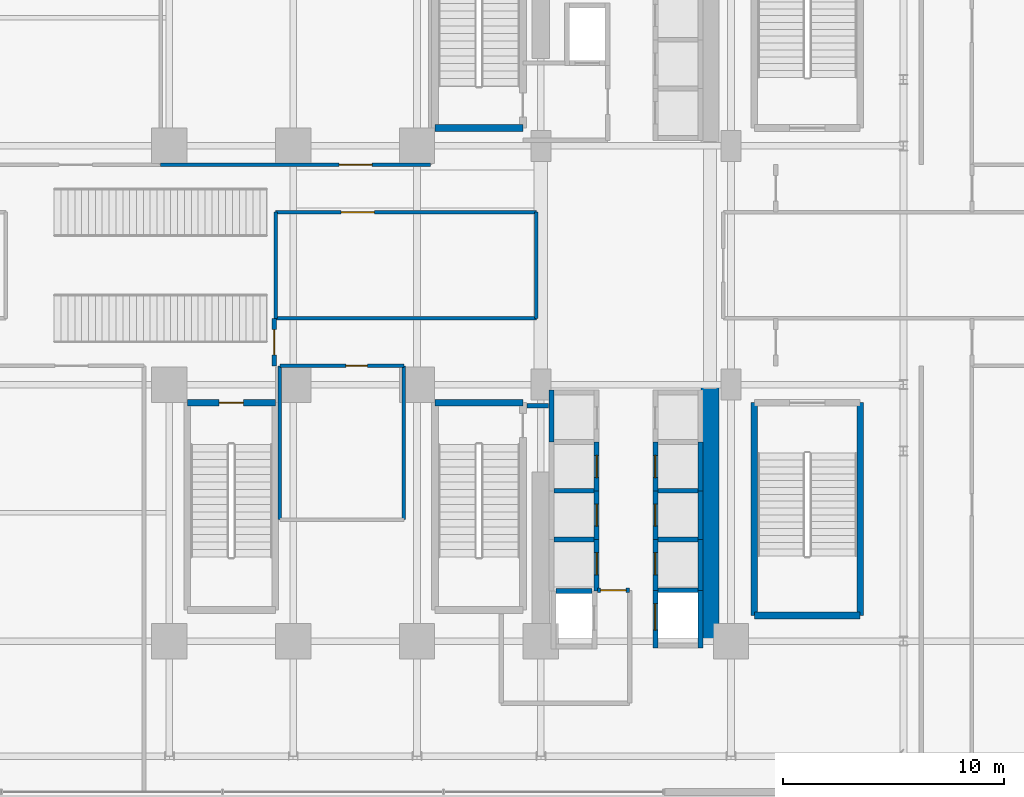
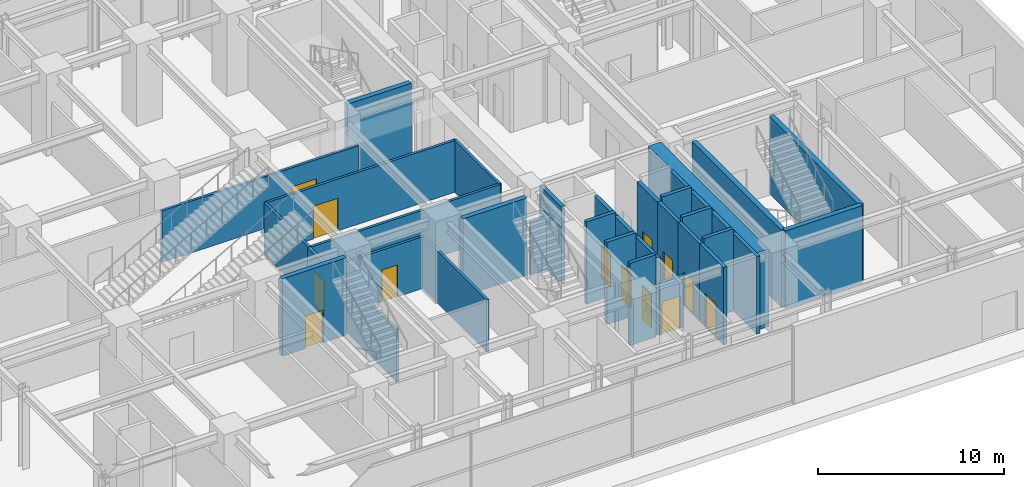
# One storey, part 23 of 29: 36 walls, 13 doors, 13 openings.
"""IFC4 building model written with IfcOpenShell, lengths in metres."""

import ifcopenshell
import ifcopenshell.guid

model = None  # the IFC model being written
_history = None  # IfcOwnerHistory: only IFC2X3 demands one
_inside = {}  # id of a spatial element -> (the spatial element, [elements in it])
_under = {}  # id of a project, library or spatial element -> (it, [spatial elements below it])
_declared = {}  # id of a project -> (the project, [libraries it declares])
_typed = {}  # id of a type object -> (the type object, [elements of that type])
_made_of = {}  # id of a material, layer set ... -> (it, [elements and type objects made of it])


def new_model(schema):
    """Start an empty IFC model of exactly this schema.

    Asked for "IFC4X3", IfcOpenShell would pick the latest addendum, in which some entities
    have other attributes; the version numbers below select the first issue.
    IFC2X3 requires an IfcOwnerHistory on every rooted entity: one is made here for all.
    """
    global model, _history
    if schema == "IFC4X3":
        model = ifcopenshell.file(schema_version=(4, 3, 0, 0))
    else:
        model = ifcopenshell.file(schema=schema)
    _inside.clear()
    _under.clear()
    _declared.clear()
    _typed.clear()
    _made_of.clear()
    _history = None
    if model.schema == "IFC2X3":
        org = make("IfcOrganization", Name="unknown")
        user = make(
            "IfcPersonAndOrganization",
            ThePerson=make("IfcPerson", FamilyName="unknown"),
            TheOrganization=org,
        )
        app = make(
            "IfcApplication",
            ApplicationDeveloper=org,
            Version="unknown",
            ApplicationFullName="unknown",
            ApplicationIdentifier="unknown",
        )
        _history = make(
            "IfcOwnerHistory",
            OwningUser=user,
            OwningApplication=app,
            ChangeAction="ADDED",
            CreationDate=0,
        )
    return model


def make(cls, **values):
    """One entity of the class cls with the attributes given. An attribute that is None is left unset."""
    return model.create_entity(
        cls, **{name: value for name, value in values.items() if value is not None}
    )


def rooted(cls, **values):
    """An entity with a GlobalId (a new one), such as an element, a storey or a relation."""
    return make(cls, GlobalId=ifcopenshell.guid.new(), OwnerHistory=_history, **values)


def si_unit(unit_type, name, prefix=None):
    """IfcSIUnit, for example si_unit("LENGTHUNIT", "METRE", prefix="MILLI")."""
    return make("IfcSIUnit", UnitType=unit_type, Prefix=prefix, Name=name)


def assignment(units):
    """IfcUnitAssignment: the units of a project."""
    return None if units is None else make("IfcUnitAssignment", Units=units)


def point(xyz):
    """IfcCartesianPoint."""
    return None if xyz is None else make("IfcCartesianPoint", Coordinates=xyz)


def direction(xyz):
    """IfcDirection."""
    return None if xyz is None else make("IfcDirection", DirectionRatios=xyz)


def frame(location, z_axis=None, x_axis=None):
    """IfcAxis2Placement3D, a coordinate frame: its origin and axes. An axis left out is left unset."""
    return make(
        "IfcAxis2Placement3D",
        Location=point(location),
        Axis=direction(z_axis),
        RefDirection=direction(x_axis),
    )


def frame_2d(location, x_axis=None):
    """IfcAxis2Placement2D, a coordinate frame in the plane: its origin and x axis."""
    return make(
        "IfcAxis2Placement2D", Location=point(location), RefDirection=direction(x_axis)
    )


def origin():
    """The frame at (0, 0, 0) with its axes left unset."""
    return frame((0.0, 0.0, 0.0))


def place(relative_to, where):
    """IfcLocalPlacement: puts the frame where relative to a parent placement (None: the world)."""
    return make(
        "IfcLocalPlacement", PlacementRelTo=relative_to, RelativePlacement=where
    )


def context(
    kind, dimensions, precision=None, world=None, true_north=None, identifier=None
):
    """IfcGeometricRepresentationContext, for example the 3D "Model" context."""
    return make(
        "IfcGeometricRepresentationContext",
        ContextIdentifier=identifier,
        ContextType=kind,
        CoordinateSpaceDimension=dimensions,
        Precision=precision,
        WorldCoordinateSystem=world,
        TrueNorth=true_north,
    )


def subcontext(parent, identifier, kind, view, scale=None):
    """IfcGeometricRepresentationSubContext, for example "Body" below "Model"."""
    return make(
        "IfcGeometricRepresentationSubContext",
        ContextIdentifier=identifier,
        ContextType=kind,
        ParentContext=parent,
        TargetScale=scale,
        TargetView=view,
    )


def project(units=None, contexts=None):
    """IfcProject with its units and contexts."""
    return rooted(
        "IfcProject",
        Name="project",
        RepresentationContexts=contexts,
        UnitsInContext=assignment(units),
    )


def spatial(cls, under=None, at=None, **own):
    """A site, building, storey or space (cls), placed at a placement, below another one or the project."""
    s = rooted(cls, ObjectPlacement=at, **own)
    if under is not None:
        _under.setdefault(under.id(), (under, []))[1].append(s)
    return s


def profile(cls, at=None, kind="AREA", **sizes):
    """A parametric profile (cls). Its sizes go by their IFC names, for example OverallWidth=200.0."""
    return make(cls, ProfileType=kind, Position=at, **sizes)


def rectangle(**sizes):
    """IfcRectangleProfileDef."""
    return profile("IfcRectangleProfileDef", **sizes)


def extrude(swept, where, along, depth):
    """IfcExtrudedAreaSolid: the profile swept, set in the frame where, extruded along a direction by depth."""
    return make(
        "IfcExtrudedAreaSolid",
        SweptArea=swept,
        Position=where,
        ExtrudedDirection=direction(along),
        Depth=depth,
    )


def shape(context_of_items, identifier, shape_type, items):
    """IfcShapeRepresentation: the items that make up one representation, for example the "Body"."""
    return make(
        "IfcShapeRepresentation",
        ContextOfItems=context_of_items,
        RepresentationIdentifier=identifier,
        RepresentationType=shape_type,
        Items=items,
    )


def source(mapping_origin, context_of_items, identifier, shape_type, items):
    """IfcRepresentationMap: a shape defined once, which mapped items show again and again."""
    return make(
        "IfcRepresentationMap",
        MappingOrigin=mapping_origin,
        MappedRepresentation=shape(context_of_items, identifier, shape_type, items),
    )


def transform(
    local_origin,
    x_axis=None,
    y_axis=None,
    z_axis=None,
    scale=None,
    scale2=None,
    scale3=None,
    uniform=True,
):
    """IfcCartesianTransformationOperator3D, or its non-uniform kind. x_axis, y_axis, z_axis: its Axis1, 2, 3."""
    if uniform:
        return make(
            "IfcCartesianTransformationOperator3D",
            Axis1=direction(x_axis),
            Axis2=direction(y_axis),
            LocalOrigin=point(local_origin),
            Scale=scale,
            Axis3=direction(z_axis),
        )
    return make(
        "IfcCartesianTransformationOperator3DnonUniform",
        Axis1=direction(x_axis),
        Axis2=direction(y_axis),
        LocalOrigin=point(local_origin),
        Scale=scale,
        Axis3=direction(z_axis),
        Scale2=scale2,
        Scale3=scale3,
    )


def mapped(mapping_source, mapping_target):
    """IfcMappedItem: shows the shape of a source again, moved by a transform."""
    return make(
        "IfcMappedItem", MappingSource=mapping_source, MappingTarget=mapping_target
    )


def material(Name=None, Category=None):
    """IfcMaterial."""
    return make("IfcMaterial", Name=Name, Category=Category)


def layer(
    of_material, thickness, ventilated=None, Name=None, Category=None, Priority=None
):
    """IfcMaterialLayer: one layer of a wall or slab, of a material (None: an air gap)."""
    return make(
        "IfcMaterialLayer",
        Material=of_material,
        LayerThickness=thickness,
        IsVentilated=ventilated,
        Name=Name,
        Category=Category,
        Priority=Priority,
    )


def layer_set(layers, Name=None):
    """IfcMaterialLayerSet."""
    return make("IfcMaterialLayerSet", MaterialLayers=layers, LayerSetName=Name)


def made_of(thing, what):
    """Note that an element or type object is made of a material, layer set ...; save() writes the relation."""
    if what is not None:
        _made_of.setdefault(what.id(), (what, []))[1].append(thing)
    return thing


def type_object(cls, material=None, **own):
    """A type object (cls), such as IfcWallType, which elements share."""
    return made_of(rooted(cls, **own), material)


def element(
    cls,
    number,
    at=None,
    inside=None,
    cuts=None,
    type_object=None,
    material=None,
    context=None,
    identifier="Body",
    shape_type=None,
    held_by="IfcProductDefinitionShape",
    body=None,
    shapes=None,
    **own,
):
    """One element of the class cls, such as IfcWall. Its Tag is "e" and its number.

    at: its placement. inside: the storey or other place that contains it. cuts: it is an
    opening in that element (IfcRelVoidsElement). A single representation is given by context,
    identifier, shape_type and body (its items); several are given by shapes. held_by: the class
    of the entity that holds the representations. save() writes the other relations.
    """
    e = rooted(cls, Tag="e%d" % number, ObjectPlacement=at, **own)
    if body is not None:
        shapes = [shape(context, identifier, shape_type, body)]
    if shapes is not None:
        e.Representation = make(held_by, Representations=shapes)
    if inside is not None:
        _inside.setdefault(inside.id(), (inside, []))[1].append(e)
    if cuts is not None:
        rooted(
            "IfcRelVoidsElement", RelatingBuildingElement=cuts, RelatedOpeningElement=e
        )
    if type_object is not None:
        _typed.setdefault(type_object.id(), (type_object, []))[1].append(e)
    return made_of(e, material)


def fill(opening, filler):
    """IfcRelFillsElement: the door or window that sits in an opening."""
    return rooted(
        "IfcRelFillsElement",
        RelatingOpeningElement=opening,
        RelatedBuildingElement=filler,
    )


def aggregate(whole, parts):
    """IfcRelAggregates: a whole, such as a stair, and the parts it consists of."""
    return rooted("IfcRelAggregates", RelatingObject=whole, RelatedObjects=parts)


def save(model, path):
    """Write the relations noted so far, then the file.

    IfcRelAggregates (storeys below a building ...), IfcRelContainedInSpatialStructure (elements
    in a storey), IfcRelDefinesByType, IfcRelAssociatesMaterial and IfcRelDeclares: one each for
    every whole, place, type object, material and project.
    """
    for whole, parts in _under.values():
        aggregate(whole, parts)
    for where, things in _inside.values():
        rooted(
            "IfcRelContainedInSpatialStructure",
            RelatedElements=things,
            RelatingStructure=where,
        )
    for kind, things in _typed.values():
        rooted("IfcRelDefinesByType", RelatedObjects=things, RelatingType=kind)
    for what, things in _made_of.values():
        rooted("IfcRelAssociatesMaterial", RelatedObjects=things, RelatingMaterial=what)
    for by, libraries in _declared.values():
        rooted("IfcRelDeclares", RelatingContext=by, RelatedDefinitions=libraries)
    model.write(path)


model = new_model("IFC4")

# Units and contexts
model_context = context("Model", 3, precision=1e-05, world=origin(), true_north=direction((0.0, 1.0)))
body_context = subcontext(model_context, "Body", "Model", "MODEL_VIEW")
ifc_project = project(units=[si_unit("LENGTHUNIT", "METRE"), si_unit("AREAUNIT", "SQUARE_METRE"), si_unit("VOLUMEUNIT", "CUBIC_METRE"), si_unit("PLANEANGLEUNIT", "RADIAN"), si_unit("MASSUNIT", "GRAM", prefix="KILO")], contexts=[model_context])

# Site, building, storey
site_placement = place(None, origin())
site = spatial("IfcSite", under=ifc_project, at=site_placement, CompositionType="ELEMENT")
building_placement = place(site_placement, origin())
building = spatial("IfcBuilding", under=site, at=building_placement, Name="Nahalor Promenade Grand Hotel", CompositionType="ELEMENT")
storey_placement = place(building_placement, origin())
storey = spatial("IfcBuildingStorey", under=building, at=storey_placement, Name="L00", CompositionType="ELEMENT", Elevation=0.0)

# Walls
ifc_material_1 = material(Name="Concrete B-70 (C60/75)", Category="concrete")
ifc_layer_1 = layer(ifc_material_1, 0.800048828125)
ifc_layer_set_1 = layer_set([ifc_layer_1], Name="Concrete B-70 (C60/75)")
wall_type_1 = type_object("IfcWallType", Name="Wall-CoreShear-800", PredefinedType="SHEAR", material=ifc_layer_set_1)
shared_shape_1 = source(origin(), body_context, "Body", "SweptSolid", [
    extrude(rectangle(XDim=11.60009765625, YDim=0.800048828125, at=frame_2d((5.800048828125, 0.0))), origin(), (0.0, 0.0, 1.0), 5.080078125),
])
wall_1_placement = place(storey_placement, frame((16.050048828125, -17.0, 0.0), z_axis=(0.0, 0.0, 1.0), x_axis=(0.0, 1.0, 0.0)))
element("IfcWall", 1, at=wall_1_placement, inside=storey, type_object=wall_type_1, Name="CWALL-L00-SE", PredefinedType="SHEAR", context=body_context, shape_type="MappedRepresentation", body=[
    mapped(shared_shape_1, transform((0.0, 0.0, 0.0), scale=1.0)),
])
ifc_material_2 = material(Name="Concrete B-50 (C40/50)", Category="concrete")
ifc_layer_2 = layer(ifc_material_2, 0.300048828125)
ifc_layer_set_2 = layer_set([ifc_layer_2], Name="Concrete B-50 (C40/50)")
wall_type_2 = type_object("IfcWallType", Name="Wall-ShaftShear-300", PredefinedType="SHEAR", material=ifc_layer_set_2)
shared_shape_2 = source(origin(), body_context, "Body", "SweptSolid", [
    extrude(rectangle(XDim=3.97998046875, YDim=0.300048828125, at=frame_2d((1.989990234375, 0.0))), origin(), (0.0, 0.0, 1.0), 5.080078125),
])
for number, where, z_axis, x_axis, name in (
    (2, (3.610107421875, 6.2099609375, 0.0), (0.0, 0.0, 1.0), (1.0, 0.0, 0.0), "L00 Exit Stair ST1 Shaft Wall S"),
    (3, (3.610107421875, -6.2099609375, 0.0), (0.0, 0.0, 1.0), (1.0, 0.0, 0.0), "L00 Exit Stair ST2 Shaft Wall N"),
):
    element("IfcWall", number, at=place(storey_placement, frame(where, z_axis=z_axis, x_axis=x_axis)), inside=storey, type_object=wall_type_2, Name=name, PredefinedType="SHEAR", context=body_context, shape_type="MappedRepresentation", body=[
        mapped(shared_shape_2, transform((0.0, 0.0, 0.0), scale=1.0)),
    ])

# Wall, opening, door
wall_2_placement = place(storey_placement, frame((-7.590087890625, -6.2099609375, 0.0), z_axis=(0.0, 0.0, 1.0), x_axis=(1.0, 0.0, 0.0)))
wall_2 = element("IfcWall", 4, at=wall_2_placement, inside=storey, type_object=wall_type_2, Name="L00 Exit Stair ST3 Shaft Wall N", PredefinedType="SHEAR", context=body_context, shape_type="MappedRepresentation", body=[
    mapped(shared_shape_2, transform((0.0, 0.0, 0.0), scale=1.0)),
])
opening_1_placement = place(wall_2_placement, frame((1.43994140625, 0.0, 0.0)))
opening_1 = element("IfcOpeningElement", 5, at=opening_1_placement, cuts=wall_2, Name="Opening D-ST1", PredefinedType="OPENING", context=body_context, shape_type="SweptSolid", body=[
    extrude(rectangle(XDim=1.10009765625, YDim=2.14990234375, at=frame_2d((0.550048828125, 1.074951171875))), frame((0.0, 0.159912109375, 0.0), z_axis=(0.0, -1.0, 0.0), x_axis=(1.0, 0.0, 0.0)), (0.0, 0.0, 1.0), 0.320068359375),
])
ifc_material_3 = material(Name="Steel S355JR", Category="steel")
door_type_1 = type_object("IfcDoorType", Name="Door-StairFire-1100", OperationType="NOTDEFINED", PredefinedType="DOOR", material=ifc_material_3)
shared_shape_3 = source(origin(), body_context, "Body", "SweptSolid", [
    extrude(rectangle(XDim=1.10009765625, YDim=2.14990234375, at=frame_2d((0.550048828125, 1.074951171875))), frame((0.0, 0.02490234375, 0.0), z_axis=(0.0, -1.0, 0.0), x_axis=(1.0, 0.0, 0.0)), (0.0, 0.0, 1.0), 0.050048828125),
])
door_1_placement = place(opening_1_placement, origin())
door_1 = element("IfcDoor", 6, at=door_1_placement, inside=storey, type_object=door_type_1, Name="DR-STAIR-ST3-L00", OperationType="SINGLE_SWING_LEFT", OverallHeight=2.14990234375, OverallWidth=1.10009765625, PredefinedType="DOOR", context=body_context, shape_type="MappedRepresentation", body=[
    mapped(shared_shape_3, transform((0.0, 0.0, 0.0), scale=1.0)),
])
fill(opening_1, door_1)

# Walls
shared_shape_4 = source(origin(), body_context, "Body", "SweptSolid", [
    extrude(rectangle(XDim=4.780029296875, YDim=0.300048828125, at=frame_2d((2.39013671875, 0.0))), origin(), (0.0, 0.0, 1.0), 5.080078125),
])
wall_3_placement = place(storey_placement, frame((18.06005859375, -15.840087890625, 0.0), z_axis=(0.0, 0.0, 1.0), x_axis=(1.0, 0.0, 0.0)))
element("IfcWall", 7, at=wall_3_placement, inside=storey, type_object=wall_type_2, Name="L00 Exit Stair ST5 Shaft Wall S", PredefinedType="SHEAR", context=body_context, shape_type="MappedRepresentation", body=[
    mapped(shared_shape_4, transform((0.0, 0.0, 0.0), scale=1.0)),
])
shared_shape_5 = source(origin(), body_context, "Body", "SweptSolid", [
    extrude(rectangle(XDim=9.630126953125, YDim=0.300048828125, at=frame_2d((4.81494140625, 0.0))), origin(), (0.0, 0.0, 1.0), 5.080078125),
])
for number, where, z_axis, x_axis, name in (
    (8, (18.06005859375, -15.840087890625, 0.0), (0.0, 0.0, 1.0), (0.0, 1.0, 0.0), "L00 Exit Stair ST5 Shaft Wall W"),
    (9, (22.840087890625, -15.840087890625, 0.0), (0.0, 0.0, 1.0), (0.0, 1.0, 0.0), "L00 Exit Stair ST5 Shaft Wall E"),
):
    element("IfcWall", number, at=place(storey_placement, frame(where, z_axis=z_axis, x_axis=x_axis)), inside=storey, type_object=wall_type_2, Name=name, PredefinedType="SHEAR", context=body_context, shape_type="MappedRepresentation", body=[
        mapped(shared_shape_5, transform((0.0, 0.0, 0.0), scale=1.0)),
    ])
ifc_layer_3 = layer(ifc_material_2, 0.219970703125)
ifc_layer_set_3 = layer_set([ifc_layer_3], Name="Concrete B-50 (C40/50)")
wall_type_3 = type_object("IfcWallType", Name="Wall-LiftShaft-220", PredefinedType="SHEAR", material=ifc_layer_set_3)
shared_shape_6 = source(origin(), body_context, "Body", "SweptSolid", [
    extrude(rectangle(XDim=2.360107421875, YDim=0.219970703125, at=frame_2d((1.18017578125, 0.0))), origin(), (0.0, 0.0, 1.0), 5.080078125),
])
wall_4_placement = place(storey_placement, frame((8.8798828125, -8.0, 0.0), z_axis=(0.0, 0.0, 1.0), x_axis=(0.0, 1.0, 0.0)))
element("IfcWall", 10, at=wall_4_placement, inside=storey, type_object=wall_type_3, Name="L00 Lift PL9 Hoistway Wall W", PredefinedType="SHEAR", context=body_context, shape_type="MappedRepresentation", body=[
    mapped(shared_shape_6, transform((0.0, 0.0, 0.0), scale=1.0)),
])
shared_shape_7 = source(origin(), body_context, "Body", "SweptSolid", [
    extrude(rectangle(XDim=1.820068359375, YDim=0.219970703125, at=frame_2d((0.91015625, 0.0))), origin(), (0.0, 0.0, 1.0), 5.39990234375),
])
for number, where, z_axis, x_axis, name in (
    (11, (13.68994140625, -10.199951171875, 0.0), (0.0, 0.0, 1.0), (1.0, 0.0, 0.0), "L00 Lift PL7 Hoistway Wall N"),
    (12, (13.68994140625, -12.39990234375, 0.0), (0.0, 0.0, 1.0), (1.0, 0.0, 0.0), "L00 Lift PL8 Hoistway Wall N"),
    (13, (8.989990234375, -10.199951171875, 0.0), (0.0, 0.0, 1.0), (1.0, 0.0, 0.0), "L00 Lift PL11 Hoistway Wall N"),
    (14, (8.989990234375, -12.39990234375, 0.0), (0.0, 0.0, 1.0), (1.0, 0.0, 0.0), "L00 Lift PL12 Hoistway Wall N"),
    (15, (13.68994140625, -14.699951171875, 0.0), (0.0, 0.0, 1.0), (1.0, 0.0, 0.0), "L00 Lift SV2 Hoistway Wall N"),
):
    element("IfcWall", number, at=place(storey_placement, frame(where, z_axis=z_axis, x_axis=x_axis)), inside=storey, type_object=wall_type_3, Name=name, PredefinedType="SHEAR", context=body_context, shape_type="MappedRepresentation", body=[
        mapped(shared_shape_7, transform((0.0, 0.0, 0.0), scale=1.0)),
    ])

# Wall, opening, door
shared_shape_8 = source(origin(), body_context, "Body", "SweptSolid", [
    extrude(rectangle(XDim=2.199951171875, YDim=0.219970703125, at=frame_2d((1.10009765625, 0.0))), origin(), (0.0, 0.0, 1.0), 5.080078125),
])
wall_5_placement = place(storey_placement, frame((13.580078125, -10.199951171875, 0.0), z_axis=(0.0, 0.0, 1.0), x_axis=(0.0, 1.0, 0.0)))
wall_5 = element("IfcWall", 16, at=wall_5_placement, inside=storey, type_object=wall_type_3, Name="L00 Lift PL6 Hoistway Wall W", PredefinedType="SHEAR", context=body_context, shape_type="MappedRepresentation", body=[
    mapped(shared_shape_8, transform((0.0, 0.0, 0.0), scale=1.0)),
])
opening_2_placement = place(wall_5_placement, frame((0.60009765625, 0.0, 0.0)))
opening_2 = element("IfcOpeningElement", 17, at=opening_2_placement, cuts=wall_5, Name="Opening LD-01", PredefinedType="OPENING", context=body_context, shape_type="SweptSolid", body=[
    extrude(rectangle(XDim=1.0, YDim=2.199951171875, at=frame_2d((0.5, 1.10009765625))), frame((0.0, 0.119873046875, 0.0), z_axis=(0.0, -1.0, 0.0), x_axis=(1.0, 0.0, 0.0)), (0.0, 0.0, 1.0), 0.239990234375),
])
door_type_2 = type_object("IfcDoorType", Name="Door-LiftLanding-1000", OperationType="DOUBLE_DOOR_SLIDING", PredefinedType="DOOR", material=ifc_material_3)
shared_shape_9 = source(origin(), body_context, "Body", "SweptSolid", [
    extrude(rectangle(XDim=1.0, YDim=2.199951171875, at=frame_2d((0.5, 1.10009765625))), frame((0.0, 0.02490234375, 0.0), z_axis=(0.0, -1.0, 0.0), x_axis=(1.0, 0.0, 0.0)), (0.0, 0.0, 1.0), 0.050048828125),
])
door_2_placement = place(opening_2_placement, origin())
door_2 = element("IfcDoor", 18, at=door_2_placement, inside=storey, type_object=door_type_2, Name="DR-LIFT-PL6-L00", OperationType="DOUBLE_DOOR_SLIDING", OverallHeight=2.199951171875, OverallWidth=1.0, PredefinedType="DOOR", context=body_context, shape_type="MappedRepresentation", body=[
    mapped(shared_shape_9, transform((0.0, 0.0, 0.0), scale=1.0)),
])
fill(opening_2, door_2)

# Wall
wall_6_placement = place(storey_placement, frame((15.6201171875, -10.199951171875, 0.0), z_axis=(0.0, 0.0, 1.0), x_axis=(0.0, 1.0, 0.0)))
element("IfcWall", 19, at=wall_6_placement, inside=storey, type_object=wall_type_3, Name="L00 Lift PL6 Hoistway Wall E", PredefinedType="SHEAR", context=body_context, shape_type="MappedRepresentation", body=[
    mapped(shared_shape_8, transform((0.0, 0.0, 0.0), scale=1.0)),
])

# Wall, opening, door
wall_7_placement = place(storey_placement, frame((13.580078125, -12.39990234375, 0.0), z_axis=(0.0, 0.0, 1.0), x_axis=(0.0, 1.0, 0.0)))
wall_7 = element("IfcWall", 20, at=wall_7_placement, inside=storey, type_object=wall_type_3, Name="L00 Lift PL7 Hoistway Wall W", PredefinedType="SHEAR", context=body_context, shape_type="MappedRepresentation", body=[
    mapped(shared_shape_8, transform((0.0, 0.0, 0.0), scale=1.0)),
])
opening_3_placement = place(wall_7_placement, frame((0.60009765625, 0.0, 0.0)))
opening_3 = element("IfcOpeningElement", 21, at=opening_3_placement, cuts=wall_7, Name="Opening LD-01", PredefinedType="OPENING", context=body_context, shape_type="SweptSolid", body=[
    extrude(rectangle(XDim=1.0, YDim=2.199951171875, at=frame_2d((0.5, 1.10009765625))), frame((0.0, 0.119873046875, 0.0), z_axis=(0.0, -1.0, 0.0), x_axis=(1.0, 0.0, 0.0)), (0.0, 0.0, 1.0), 0.239990234375),
])
door_3_placement = place(opening_3_placement, origin())
door_3 = element("IfcDoor", 22, at=door_3_placement, inside=storey, type_object=door_type_2, Name="DR-LIFT-PL7-L00", OperationType="DOUBLE_DOOR_SLIDING", OverallHeight=2.199951171875, OverallWidth=1.0, PredefinedType="DOOR", context=body_context, shape_type="MappedRepresentation", body=[
    mapped(shared_shape_9, transform((0.0, 0.0, 0.0), scale=1.0)),
])
fill(opening_3, door_3)

# Wall
wall_8_placement = place(storey_placement, frame((15.6201171875, -12.39990234375, 0.0), z_axis=(0.0, 0.0, 1.0), x_axis=(0.0, 1.0, 0.0)))
element("IfcWall", 23, at=wall_8_placement, inside=storey, type_object=wall_type_3, Name="L00 Lift PL7 Hoistway Wall E", PredefinedType="SHEAR", context=body_context, shape_type="MappedRepresentation", body=[
    mapped(shared_shape_8, transform((0.0, 0.0, 0.0), scale=1.0)),
])

# Wall, opening, door
wall_9_placement = place(storey_placement, frame((10.919921875, -10.199951171875, 0.0), z_axis=(0.0, 0.0, 1.0), x_axis=(0.0, 1.0, 0.0)))
wall_9 = element("IfcWall", 24, at=wall_9_placement, inside=storey, type_object=wall_type_3, Name="L00 Lift PL10 Hoistway Wall E", PredefinedType="SHEAR", context=body_context, shape_type="MappedRepresentation", body=[
    mapped(shared_shape_8, transform((0.0, 0.0, 0.0), scale=1.0)),
])
opening_4_placement = place(wall_9_placement, frame((0.60009765625, 0.0, 0.0)))
opening_4 = element("IfcOpeningElement", 25, at=opening_4_placement, cuts=wall_9, Name="Opening LD-01", PredefinedType="OPENING", context=body_context, shape_type="SweptSolid", body=[
    extrude(rectangle(XDim=1.0, YDim=2.199951171875, at=frame_2d((0.5, 1.10009765625))), frame((0.0, 0.119873046875, 0.0), z_axis=(0.0, -1.0, 0.0), x_axis=(1.0, 0.0, 0.0)), (0.0, 0.0, 1.0), 0.239990234375),
])
door_4_placement = place(opening_4_placement, frame((1.0, 0.0, 0.0), z_axis=(0.0, 0.0, 1.0), x_axis=(-1.0, 0.0, 0.0)))
door_4 = element("IfcDoor", 26, at=door_4_placement, inside=storey, type_object=door_type_2, Name="DR-LIFT-PL10-L00", OperationType="DOUBLE_DOOR_SLIDING", OverallHeight=2.199951171875, OverallWidth=1.0, PredefinedType="DOOR", context=body_context, shape_type="MappedRepresentation", body=[
    mapped(shared_shape_9, transform((0.0, 0.0, 0.0), scale=1.0)),
])
fill(opening_4, door_4)

wall_10_placement = place(storey_placement, frame((10.919921875, -12.39990234375, 0.0), z_axis=(0.0, 0.0, 1.0), x_axis=(0.0, 1.0, 0.0)))
wall_10 = element("IfcWall", 27, at=wall_10_placement, inside=storey, type_object=wall_type_3, Name="L00 Lift PL11 Hoistway Wall E", PredefinedType="SHEAR", context=body_context, shape_type="MappedRepresentation", body=[
    mapped(shared_shape_8, transform((0.0, 0.0, 0.0), scale=1.0)),
])
opening_5_placement = place(wall_10_placement, frame((0.60009765625, 0.0, 0.0)))
opening_5 = element("IfcOpeningElement", 28, at=opening_5_placement, cuts=wall_10, Name="Opening LD-01", PredefinedType="OPENING", context=body_context, shape_type="SweptSolid", body=[
    extrude(rectangle(XDim=1.0, YDim=2.199951171875, at=frame_2d((0.5, 1.10009765625))), frame((0.0, 0.119873046875, 0.0), z_axis=(0.0, -1.0, 0.0), x_axis=(1.0, 0.0, 0.0)), (0.0, 0.0, 1.0), 0.239990234375),
])
door_5_placement = place(opening_5_placement, frame((1.0, 0.0, 0.0), z_axis=(0.0, 0.0, 1.0), x_axis=(-1.0, 0.0, 0.0)))
door_5 = element("IfcDoor", 29, at=door_5_placement, inside=storey, type_object=door_type_2, Name="DR-LIFT-PL11-L00", OperationType="DOUBLE_DOOR_SLIDING", OverallHeight=2.199951171875, OverallWidth=1.0, PredefinedType="DOOR", context=body_context, shape_type="MappedRepresentation", body=[
    mapped(shared_shape_9, transform((0.0, 0.0, 0.0), scale=1.0)),
])
fill(opening_5, door_5)

shared_shape_10 = source(origin(), body_context, "Body", "SweptSolid", [
    extrude(rectangle(XDim=2.300048828125, YDim=0.219970703125, at=frame_2d((1.14990234375, 0.0))), origin(), (0.0, 0.0, 1.0), 5.080078125),
])
wall_11_placement = place(storey_placement, frame((13.580078125, -14.699951171875, 0.0), z_axis=(0.0, 0.0, 1.0), x_axis=(0.0, 1.0, 0.0)))
wall_11 = element("IfcWall", 30, at=wall_11_placement, inside=storey, type_object=wall_type_3, Name="L00 Lift PL8 Hoistway Wall W", PredefinedType="SHEAR", context=body_context, shape_type="MappedRepresentation", body=[
    mapped(shared_shape_10, transform((0.0, 0.0, 0.0), scale=1.0)),
])
opening_6_placement = place(wall_11_placement, frame((0.699951171875, 0.0, 0.0)))
opening_6 = element("IfcOpeningElement", 31, at=opening_6_placement, cuts=wall_11, Name="Opening LD-01", PredefinedType="OPENING", context=body_context, shape_type="SweptSolid", body=[
    extrude(rectangle(XDim=1.0, YDim=2.199951171875, at=frame_2d((0.5, 1.10009765625))), frame((0.0, 0.119873046875, 0.0), z_axis=(0.0, -1.0, 0.0), x_axis=(1.0, 0.0, 0.0)), (0.0, 0.0, 1.0), 0.239990234375),
])
door_6_placement = place(opening_6_placement, origin())
door_6 = element("IfcDoor", 32, at=door_6_placement, inside=storey, type_object=door_type_2, Name="DR-LIFT-PL8-L00", OperationType="DOUBLE_DOOR_SLIDING", OverallHeight=2.199951171875, OverallWidth=1.0, PredefinedType="DOOR", context=body_context, shape_type="MappedRepresentation", body=[
    mapped(shared_shape_9, transform((0.0, 0.0, 0.0), scale=1.0)),
])
fill(opening_6, door_6)

# Wall
wall_12_placement = place(storey_placement, frame((15.6201171875, -14.699951171875, 0.0), z_axis=(0.0, 0.0, 1.0), x_axis=(0.0, 1.0, 0.0)))
element("IfcWall", 33, at=wall_12_placement, inside=storey, type_object=wall_type_3, Name="L00 Lift PL8 Hoistway Wall E", PredefinedType="SHEAR", context=body_context, shape_type="MappedRepresentation", body=[
    mapped(shared_shape_10, transform((0.0, 0.0, 0.0), scale=1.0)),
])

# Wall, opening, door
shared_shape_11 = source(origin(), body_context, "Body", "SweptSolid", [
    extrude(rectangle(XDim=2.3251953125, YDim=0.219970703125, at=frame_2d((1.16259765625, 0.0))), origin(), (0.0, 0.0, 1.0), 5.080078125),
])
wall_13_placement = place(storey_placement, frame((10.919921875, -14.72509765625, 0.0), z_axis=(0.0, 0.0, 1.0), x_axis=(0.0, 1.0, 0.0)))
wall_13 = element("IfcWall", 34, at=wall_13_placement, inside=storey, type_object=wall_type_3, Name="L00 Lift PL12 Hoistway Wall E", PredefinedType="SHEAR", context=body_context, shape_type="MappedRepresentation", body=[
    mapped(shared_shape_11, transform((0.0, 0.0, 0.0), scale=1.0)),
])
opening_7_placement = place(wall_13_placement, frame((0.72509765625, 0.0, 0.0)))
opening_7 = element("IfcOpeningElement", 35, at=opening_7_placement, cuts=wall_13, Name="Opening LD-01", PredefinedType="OPENING", context=body_context, shape_type="SweptSolid", body=[
    extrude(rectangle(XDim=1.0, YDim=2.199951171875, at=frame_2d((0.5, 1.10009765625))), frame((0.0, 0.119873046875, 0.0), z_axis=(0.0, -1.0, 0.0), x_axis=(1.0, 0.0, 0.0)), (0.0, 0.0, 1.0), 0.239990234375),
])
door_7_placement = place(opening_7_placement, frame((1.0, 0.0, 0.0), z_axis=(0.0, 0.0, 1.0), x_axis=(-1.0, 0.0, 0.0)))
door_7 = element("IfcDoor", 36, at=door_7_placement, inside=storey, type_object=door_type_2, Name="DR-LIFT-PL12-L00", OperationType="DOUBLE_DOOR_SLIDING", OverallHeight=2.199951171875, OverallWidth=1.0, PredefinedType="DOOR", context=body_context, shape_type="MappedRepresentation", body=[
    mapped(shared_shape_9, transform((0.0, 0.0, 0.0), scale=1.0)),
])
fill(opening_7, door_7)

# Wall
shared_shape_12 = source(origin(), body_context, "Body", "SweptSolid", [
    extrude(rectangle(XDim=1.619873046875, YDim=0.219970703125, at=frame_2d((0.81005859375, 0.0))), origin(), (0.0, 0.0, 1.0), 5.39990234375),
])
wall_14_placement = place(storey_placement, frame((9.090087890625, -14.72509765625, 0.0), z_axis=(0.0, 0.0, 1.0), x_axis=(1.0, 0.0, 0.0)))
element("IfcWall", 37, at=wall_14_placement, inside=storey, type_object=wall_type_3, Name="L00 Lift FL2 Hoistway Wall N", PredefinedType="SHEAR", context=body_context, shape_type="MappedRepresentation", body=[
    mapped(shared_shape_12, transform((0.0, 0.0, 0.0), scale=1.0)),
])

# Wall, opening, door
shared_shape_13 = source(origin(), body_context, "Body", "SweptSolid", [
    extrude(rectangle(XDim=2.610107421875, YDim=0.219970703125, at=frame_2d((1.30517578125, 0.0))), origin(), (0.0, 0.0, 1.0), 5.080078125),
])
wall_15_placement = place(storey_placement, frame((13.580078125, -17.31005859375, 0.0), z_axis=(0.0, 0.0, 1.0), x_axis=(0.0, 1.0, 0.0)))
wall_15 = element("IfcWall", 38, at=wall_15_placement, inside=storey, type_object=wall_type_3, Name="L00 Lift SV2 Hoistway Wall W", PredefinedType="SHEAR", context=body_context, shape_type="MappedRepresentation", body=[
    mapped(shared_shape_13, transform((0.0, 0.0, 0.0), scale=1.0)),
])
opening_8_placement = place(wall_15_placement, frame((0.81005859375, 0.0, 0.0)))
opening_8 = element("IfcOpeningElement", 39, at=opening_8_placement, cuts=wall_15, Name="Opening LD-03", PredefinedType="OPENING", context=body_context, shape_type="SweptSolid", body=[
    extrude(rectangle(XDim=1.199951171875, YDim=2.199951171875, at=frame_2d((0.60009765625, 1.10009765625))), frame((0.0, 0.119873046875, 0.0), z_axis=(0.0, -1.0, 0.0), x_axis=(1.0, 0.0, 0.0)), (0.0, 0.0, 1.0), 0.239990234375),
])
door_type_3 = type_object("IfcDoorType", Name="Door-LiftService-1200", OperationType="DOUBLE_DOOR_SLIDING", PredefinedType="DOOR", material=ifc_material_3)
shared_shape_14 = source(origin(), body_context, "Body", "SweptSolid", [
    extrude(rectangle(XDim=1.199951171875, YDim=2.199951171875, at=frame_2d((0.60009765625, 1.10009765625))), frame((0.0, 0.02490234375, 0.0), z_axis=(0.0, -1.0, 0.0), x_axis=(1.0, 0.0, 0.0)), (0.0, 0.0, 1.0), 0.050048828125),
])
door_8_placement = place(opening_8_placement, origin())
door_8 = element("IfcDoor", 40, at=door_8_placement, inside=storey, type_object=door_type_3, Name="DR-LIFT-SV2-L00", OperationType="DOUBLE_DOOR_SLIDING", OverallHeight=2.199951171875, OverallWidth=1.199951171875, PredefinedType="DOOR", context=body_context, shape_type="MappedRepresentation", body=[
    mapped(shared_shape_14, transform((0.0, 0.0, 0.0), scale=1.0)),
])
fill(opening_8, door_8)

# Wall
wall_16_placement = place(storey_placement, frame((15.6201171875, -17.31005859375, 0.0), z_axis=(0.0, 0.0, 1.0), x_axis=(0.0, 1.0, 0.0)))
element("IfcWall", 41, at=wall_16_placement, inside=storey, type_object=wall_type_3, Name="L00 Lift SV2 Hoistway Wall E", PredefinedType="SHEAR", context=body_context, shape_type="MappedRepresentation", body=[
    mapped(shared_shape_13, transform((0.0, 0.0, 0.0), scale=1.0)),
])

# Wall, opening, door
ifc_material_4 = material(Name="Concrete B-40 (C32/40)", Category="concrete")
ifc_layer_4 = layer(ifc_material_4, 0.199951171875)
ifc_layer_set_4 = layer_set([ifc_layer_4], Name="Concrete B-40 (C32/40)")
wall_type_4 = type_object("IfcWallType", Name="Wall-PartFire-200", PredefinedType="PARTITIONING", material=ifc_layer_set_4)
shared_shape_15 = source(origin(), body_context, "Body", "SweptSolid", [
    extrude(rectangle(XDim=1.4599609375, YDim=0.199951171875, at=frame_2d((0.72998046875, 0.0))), origin(), (0.0, 0.0, 1.0), 3.39990234375),
])
wall_17_placement = place(storey_placement, frame((10.9599609375, -14.699951171875, 0.0), z_axis=(0.0, 0.0, 1.0), x_axis=(1.0, 0.0, 0.0)))
wall_17 = element("IfcWall", 42, at=wall_17_placement, inside=storey, type_object=wall_type_4, Name="W-L00-FF2-N1", PredefinedType="PARTITIONING", context=body_context, shape_type="MappedRepresentation", body=[
    mapped(shared_shape_15, transform((0.0, 0.0, 0.0), scale=1.0)),
])
opening_9_placement = place(wall_17_placement, frame((0.14501953125, 0.0, 0.0)))
opening_9 = element("IfcOpeningElement", 43, at=opening_9_placement, cuts=wall_17, Name="Opening D-FF1", PredefinedType="OPENING", context=body_context, shape_type="SweptSolid", body=[
    extrude(rectangle(XDim=1.14990234375, YDim=2.14990234375, at=frame_2d((0.574951171875, 1.074951171875))), frame((0.0, 0.10986328125, 0.0), z_axis=(0.0, -1.0, 0.0), x_axis=(1.0, 0.0, 0.0)), (0.0, 0.0, 1.0), 0.219970703125),
])
door_type_4 = type_object("IfcDoorType", Name="Door-FFLobby-1150", OperationType="NOTDEFINED", PredefinedType="DOOR", material=ifc_material_3)
shared_shape_16 = source(origin(), body_context, "Body", "SweptSolid", [
    extrude(rectangle(XDim=1.14990234375, YDim=2.14990234375, at=frame_2d((0.574951171875, 1.074951171875))), frame((0.0, 0.02490234375, 0.0), z_axis=(0.0, -1.0, 0.0), x_axis=(1.0, 0.0, 0.0)), (0.0, 0.0, 1.0), 0.050048828125),
])
door_9_placement = place(opening_9_placement, origin())
door_9 = element("IfcDoor", 44, at=door_9_placement, inside=storey, type_object=door_type_4, Name="DR-L00-FFL2", OperationType="SINGLE_SWING_LEFT", OverallHeight=2.14990234375, OverallWidth=1.14990234375, PredefinedType="DOOR", context=body_context, shape_type="MappedRepresentation", body=[
    mapped(shared_shape_16, transform((0.0, 0.0, 0.0), scale=1.0)),
])
fill(opening_9, door_9)

# Wall
shared_shape_17 = source(origin(), body_context, "Body", "SweptSolid", [
    extrude(rectangle(XDim=0.969970703125, YDim=0.199951171875, at=frame_2d((0.48486328125, 0.0))), origin(), (0.0, 0.0, 1.0), 3.39990234375),
])
wall_18_placement = place(storey_placement, frame((7.77001953125, -6.35009765625, 0.0), z_axis=(0.0, 0.0, 1.0), x_axis=(1.0, 0.0, 0.0)))
element("IfcWall", 45, at=wall_18_placement, inside=storey, type_object=wall_type_4, Name="W-L00-FF2-N2", PredefinedType="PARTITIONING", context=body_context, shape_type="MappedRepresentation", body=[
    mapped(shared_shape_17, transform((0.0, 0.0, 0.0), scale=1.0)),
])

# Wall, opening, door
shared_shape_18 = source(origin(), body_context, "Body", "SweptSolid", [
    extrude(rectangle(XDim=2.150146484375, YDim=0.199951171875, at=frame_2d((1.0751953125, 0.0))), origin(), (0.0, 0.0, 1.0), 3.39990234375),
])
wall_19_placement = place(storey_placement, frame((-3.64990234375, -4.550048828125, 0.0), z_axis=(0.0, 0.0, 1.0), x_axis=(0.0, 1.0, 0.0)))
wall_19 = element("IfcWall", 46, at=wall_19_placement, inside=storey, type_object=wall_type_4, Name="W-L00-EXST3-E", PredefinedType="PARTITIONING", context=body_context, shape_type="MappedRepresentation", body=[
    mapped(shared_shape_18, transform((0.0, 0.0, 0.0), scale=1.0)),
])
opening_10_placement = place(wall_19_placement, frame((0.4951171875, 0.0, 0.0)))
opening_10 = element("IfcOpeningElement", 47, at=opening_10_placement, cuts=wall_19, Name="Opening D-FF1", PredefinedType="OPENING", context=body_context, shape_type="SweptSolid", body=[
    extrude(rectangle(XDim=1.14990234375, YDim=2.14990234375, at=frame_2d((0.574951171875, 1.074951171875))), frame((0.0, 0.10986328125, 0.0), z_axis=(0.0, -1.0, 0.0), x_axis=(1.0, 0.0, 0.0)), (0.0, 0.0, 1.0), 0.219970703125),
])
door_10_placement = place(opening_10_placement, origin())
door_10 = element("IfcDoor", 48, at=door_10_placement, inside=storey, type_object=door_type_4, Name="DR-L00-EXST3-IN", OperationType="SINGLE_SWING_RIGHT", OverallHeight=2.14990234375, OverallWidth=1.14990234375, PredefinedType="DOOR", context=body_context, shape_type="MappedRepresentation", body=[
    mapped(shared_shape_16, transform((0.0, 0.0, 0.0), scale=1.0)),
])
fill(opening_10, door_10)

# Walls
ifc_material_5 = material(Name="Acoustic Mineral Gypsum", Category="gypsum")
ifc_layer_5 = layer(ifc_material_5, 0.159912109375)
ifc_layer_set_5 = layer_set([ifc_layer_5], Name="Acoustic Mineral Gypsum")
wall_type_5 = type_object("IfcWallType", Name="Wall-PartCorridor-160", PredefinedType="PARTITIONING", material=ifc_layer_set_5)
shared_shape_19 = source(origin(), body_context, "Body", "SweptSolid", [
    extrude(rectangle(XDim=4.7998046875, YDim=0.159912109375, at=frame_2d((2.39990234375, 0.0))), origin(), (0.0, 0.0, 1.0), 3.39990234375),
])
for number, where, z_axis, x_axis, name in (
    (49, (-3.60009765625, -2.39990234375, 0.0), (0.0, 0.0, 1.0), (0.0, 1.0, 0.0), "W-L00-PR02-W"),
    (50, (8.199951171875, -2.39990234375, 0.0), (0.0, 0.0, 1.0), (0.0, 1.0, 0.0), "W-L00-PR02-E"),
):
    element("IfcWall", number, at=place(storey_placement, frame(where, z_axis=z_axis, x_axis=x_axis)), inside=storey, type_object=wall_type_5, Name=name, PredefinedType="PARTITIONING", context=body_context, shape_type="MappedRepresentation", body=[
        mapped(shared_shape_19, transform((0.0, 0.0, 0.0), scale=1.0)),
    ])
shared_shape_20 = source(origin(), body_context, "Body", "SweptSolid", [
    extrude(rectangle(XDim=11.800048828125, YDim=0.159912109375, at=frame_2d((5.89990234375, 0.0))), origin(), (0.0, 0.0, 1.0), 3.39990234375),
])
wall_20_placement = place(storey_placement, frame((-3.60009765625, -2.39990234375, 0.0), z_axis=(0.0, 0.0, 1.0), x_axis=(1.0, 0.0, 0.0)))
element("IfcWall", 51, at=wall_20_placement, inside=storey, type_object=wall_type_5, Name="W-L00-PR02-S", PredefinedType="PARTITIONING", context=body_context, shape_type="MappedRepresentation", body=[
    mapped(shared_shape_20, transform((0.0, 0.0, 0.0), scale=1.0)),
])

# Wall, opening, door
wall_21_placement = place(storey_placement, frame((-3.60009765625, 2.39990234375, 0.0), z_axis=(0.0, 0.0, 1.0), x_axis=(1.0, 0.0, 0.0)))
wall_21 = element("IfcWall", 52, at=wall_21_placement, inside=storey, type_object=wall_type_5, Name="W-L00-PR02-N", PredefinedType="PARTITIONING", context=body_context, shape_type="MappedRepresentation", body=[
    mapped(shared_shape_20, transform((0.0, 0.0, 0.0), scale=1.0)),
])
opening_11_placement = place(wall_21_placement, frame((2.967041015625, 0.0, 0.0)))
opening_11 = element("IfcOpeningElement", 53, at=opening_11_placement, cuts=wall_21, Name="Opening D-02", PredefinedType="OPENING", context=body_context, shape_type="SweptSolid", body=[
    extrude(rectangle(XDim=1.5, YDim=2.14990234375, at=frame_2d((0.75, 1.074951171875))), frame((0.0, 0.08984375, 0.0), z_axis=(0.0, -1.0, 0.0), x_axis=(1.0, 0.0, 0.0)), (0.0, 0.0, 1.0), 0.179931640625),
])
ifc_material_6 = material(Name="Fire-Rated Timber Composite", Category="wood")
door_type_5 = type_object("IfcDoorType", Name="Door-SuiteDouble-1500", OperationType="DOUBLE_DOOR_SINGLE_SWING", PredefinedType="DOOR", material=ifc_material_6)
shared_shape_21 = source(origin(), body_context, "Body", "SweptSolid", [
    extrude(rectangle(XDim=1.5, YDim=2.14990234375, at=frame_2d((0.75, 1.074951171875))), frame((0.0, 0.02490234375, 0.0), z_axis=(0.0, -1.0, 0.0), x_axis=(1.0, 0.0, 0.0)), (0.0, 0.0, 1.0), 0.050048828125),
])
door_11_placement = place(opening_11_placement, frame((1.5, 0.0, 0.0), z_axis=(0.0, 0.0, 1.0), x_axis=(-1.0, 0.0, 0.0)))
door_11 = element("IfcDoor", 54, at=door_11_placement, inside=storey, type_object=door_type_5, Name="DR-L00-PR02", OperationType="DOUBLE_DOOR_SINGLE_SWING", OverallHeight=2.14990234375, OverallWidth=1.5, PredefinedType="DOOR", context=body_context, shape_type="MappedRepresentation", body=[
    mapped(shared_shape_21, transform((0.0, 0.0, 0.0), scale=1.0)),
])
fill(opening_11, door_11)

shared_shape_22 = source(origin(), body_context, "Body", "SweptSolid", [
    extrude(rectangle(XDim=12.199951171875, YDim=0.159912109375, at=frame_2d((6.10009765625, 0.0))), origin(), (0.0, 0.0, 1.0), 3.39990234375),
])
wall_22_placement = place(storey_placement, frame((-8.800048828125, 4.550048828125, 0.0), z_axis=(0.0, 0.0, 1.0), x_axis=(1.0, 0.0, 0.0)))
wall_22 = element("IfcWall", 55, at=wall_22_placement, inside=storey, type_object=wall_type_5, Name="W-L00-PR05-S", PredefinedType="PARTITIONING", context=body_context, shape_type="MappedRepresentation", body=[
    mapped(shared_shape_22, transform((0.0, 0.0, 0.0), scale=1.0)),
])
opening_12_placement = place(wall_22_placement, frame((8.072998046875, 0.0, 0.0)))
opening_12 = element("IfcOpeningElement", 56, at=opening_12_placement, cuts=wall_22, Name="Opening D-02", PredefinedType="OPENING", context=body_context, shape_type="SweptSolid", body=[
    extrude(rectangle(XDim=1.5, YDim=2.14990234375, at=frame_2d((0.75, 1.074951171875))), frame((0.0, 0.08984375, 0.0), z_axis=(0.0, -1.0, 0.0), x_axis=(1.0, 0.0, 0.0)), (0.0, 0.0, 1.0), 0.179931640625),
])
door_12_placement = place(opening_12_placement, origin())
door_12 = element("IfcDoor", 57, at=door_12_placement, inside=storey, type_object=door_type_5, Name="DR-L00-PR05", OperationType="DOUBLE_DOOR_SINGLE_SWING", OverallHeight=2.14990234375, OverallWidth=1.5, PredefinedType="DOOR", context=body_context, shape_type="MappedRepresentation", body=[
    mapped(shared_shape_21, transform((0.0, 0.0, 0.0), scale=1.0)),
])
fill(opening_12, door_12)

shared_shape_23 = source(origin(), body_context, "Body", "SweptSolid", [
    extrude(rectangle(XDim=5.599853515625, YDim=0.159912109375, at=frame_2d((2.7998046875, 0.0))), origin(), (0.0, 0.0, 1.0), 3.39990234375),
])
wall_23_placement = place(storey_placement, frame((-3.39990234375, -4.550048828125, 0.0), z_axis=(0.0, 0.0, 1.0), x_axis=(1.0, 0.0, 0.0)))
wall_23 = element("IfcWall", 58, at=wall_23_placement, inside=storey, type_object=wall_type_5, Name="W-L00-PR10-N", PredefinedType="PARTITIONING", context=body_context, shape_type="MappedRepresentation", body=[
    mapped(shared_shape_23, transform((0.0, 0.0, 0.0), scale=1.0)),
])
opening_13_placement = place(wall_23_placement, frame((2.97802734375, 0.0, 0.0)))
opening_13 = element("IfcOpeningElement", 59, at=opening_13_placement, cuts=wall_23, Name="Opening D-05", PredefinedType="OPENING", context=body_context, shape_type="SweptSolid", body=[
    extrude(rectangle(XDim=0.97998046875, YDim=2.10009765625, at=frame_2d((0.489990234375, 1.050048828125))), frame((0.0, 0.08984375, 0.0), z_axis=(0.0, -1.0, 0.0), x_axis=(1.0, 0.0, 0.0)), (0.0, 0.0, 1.0), 0.179931640625),
])
door_type_6 = type_object("IfcDoorType", Name="Door-AccessibleWC-980", OperationType="NOTDEFINED", PredefinedType="DOOR", material=ifc_material_6)
shared_shape_24 = source(origin(), body_context, "Body", "SweptSolid", [
    extrude(rectangle(XDim=0.97998046875, YDim=2.10009765625, at=frame_2d((0.489990234375, 1.050048828125))), frame((0.0, 0.02490234375, 0.0), z_axis=(0.0, -1.0, 0.0), x_axis=(1.0, 0.0, 0.0)), (0.0, 0.0, 1.0), 0.050048828125),
])
door_13_placement = place(opening_13_placement, frame((0.97998046875, 0.0, 0.0), z_axis=(0.0, 0.0, 1.0), x_axis=(-1.0, 0.0, 0.0)))
door_13 = element("IfcDoor", 60, at=door_13_placement, inside=storey, type_object=door_type_6, Name="DR-L00-PR10", OperationType="SINGLE_SWING_RIGHT", OverallHeight=2.10009765625, OverallWidth=0.97998046875, PredefinedType="DOOR", context=body_context, shape_type="MappedRepresentation", body=[
    mapped(shared_shape_24, transform((0.0, 0.0, 0.0), scale=1.0)),
])
fill(opening_13, door_13)

# Walls
shared_shape_25 = source(origin(), body_context, "Body", "SweptSolid", [
    extrude(rectangle(XDim=6.949951171875, YDim=0.159912109375, at=frame_2d((3.47509765625, 0.0))), origin(), (0.0, 0.0, 1.0), 3.39990234375),
])
for number, where, z_axis, x_axis, name in (
    (61, (-3.39990234375, -11.5, 0.0), (0.0, 0.0, 1.0), (0.0, 1.0, 0.0), "W-L00-PR10-W"),
    (62, (2.199951171875, -11.5, 0.0), (0.0, 0.0, 1.0), (0.0, 1.0, 0.0), "W-L00-PR10-E"),
):
    element("IfcWall", number, at=place(storey_placement, frame(where, z_axis=z_axis, x_axis=x_axis)), inside=storey, type_object=wall_type_5, Name=name, PredefinedType="PARTITIONING", context=body_context, shape_type="MappedRepresentation", body=[
        mapped(shared_shape_25, transform((0.0, 0.0, 0.0), scale=1.0)),
    ])

save(model, "model.ifc")
